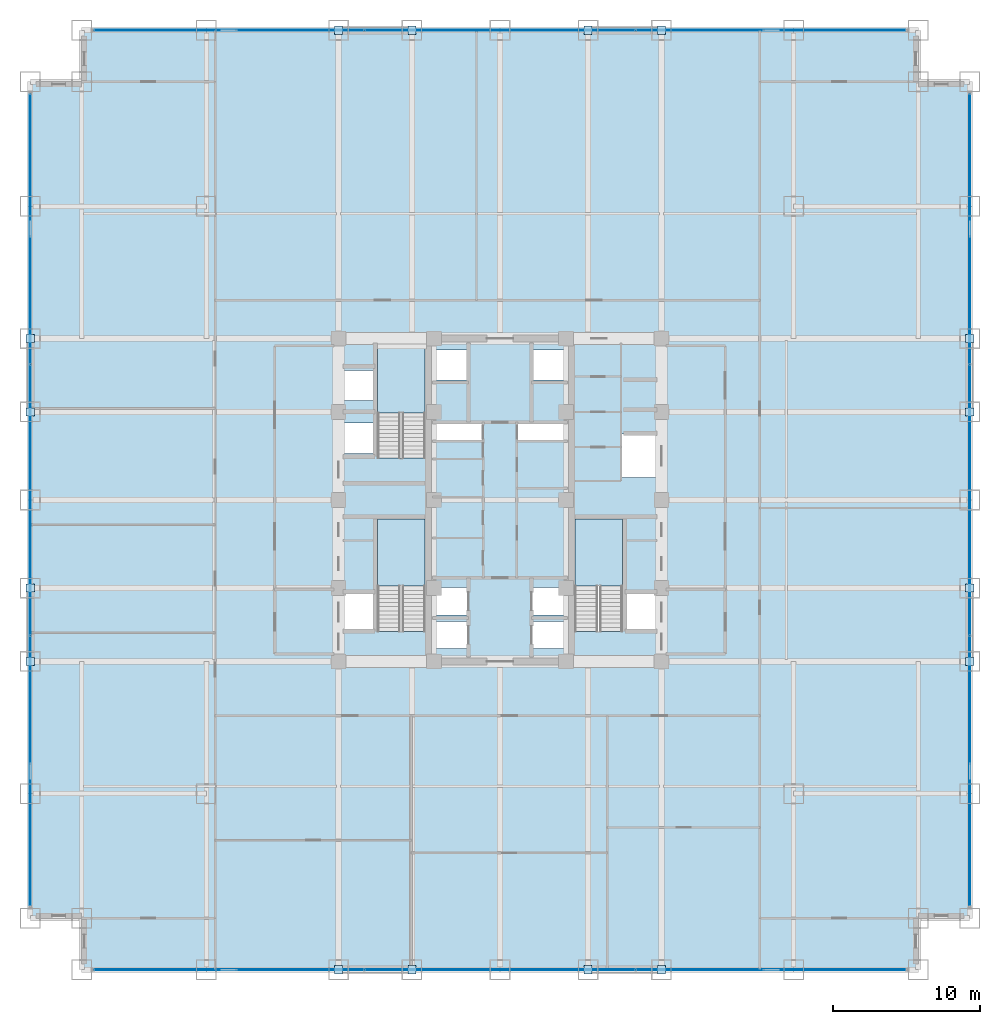
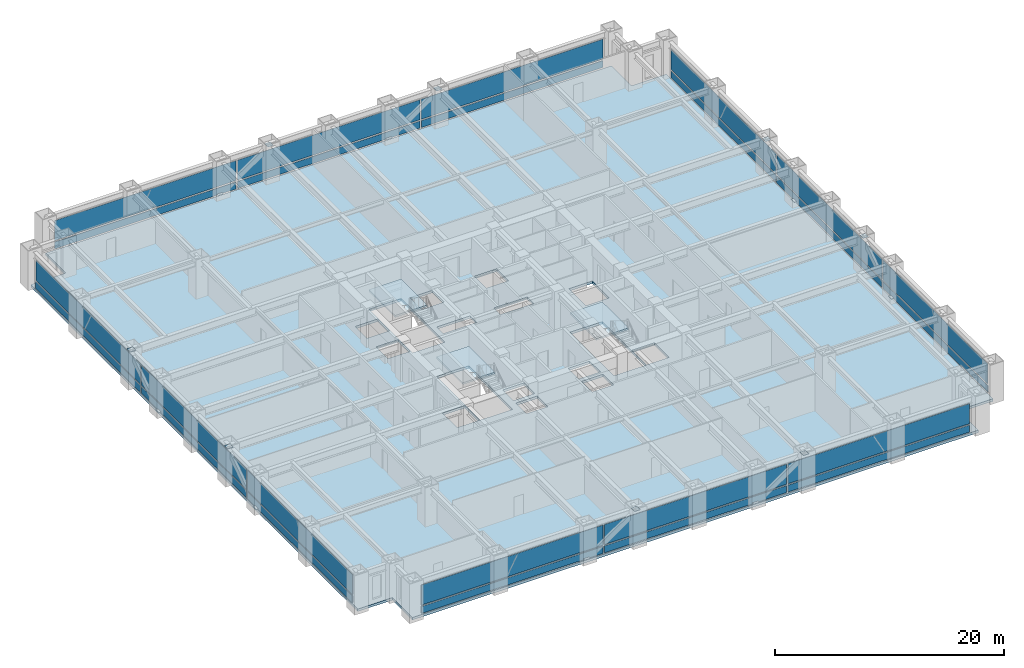
# One storey, part 22 of 28: 40 plates, 4 slabs, 7 elements without a shape of their own.
"""IFC4 building model written with IfcOpenShell, lengths in metres."""

from ifc_helpers import new_model, si_unit, direction, frame, origin, origin_2d, place, context, subcontext, project, spatial, polyline, rectangle, outline, extrude, source, transform, mapped, material, layer, layer_set, type_object, element, aggregate, save


model = new_model("IFC4")

# Units and contexts
model_context = context("Model", 3, precision=1e-05, world=origin(), true_north=direction((0.0, 1.0)))
body_context = subcontext(model_context, "Body", "Model", "MODEL_VIEW")
ifc_project = project(units=[si_unit("LENGTHUNIT", "METRE"), si_unit("AREAUNIT", "SQUARE_METRE"), si_unit("VOLUMEUNIT", "CUBIC_METRE"), si_unit("PLANEANGLEUNIT", "RADIAN"), si_unit("MASSUNIT", "GRAM", prefix="KILO")], contexts=[model_context])

# Site, building, storey
site_placement = place(None, origin())
site = spatial("IfcSite", under=ifc_project, at=site_placement, CompositionType="ELEMENT")
building_placement = place(site_placement, origin())
building = spatial("IfcBuilding", under=site, at=building_placement, Name="Khorayat Bourse Tower", CompositionType="ELEMENT")
storey_placement = place(building_placement, frame((0.0, 0.0, 66.199951171875)))
storey = spatial("IfcBuildingStorey", under=building, at=storey_placement, Name="L14", CompositionType="ELEMENT", Elevation=66.199951171875)

# Stair, slab
ifc_material_1 = material(Name="Concrete C40/50", Category="concrete")
stair_type = type_object("IfcStairType", Name="STR-CORE-1550", PredefinedType="HALF_TURN_STAIR", material=ifc_material_1)
stair_1_placement = place(storey_placement, origin())
stair_1 = element("IfcStair", 1, at=stair_1_placement, inside=storey, type_object=stair_type, Name="L14 Exit Stair ST-1", PredefinedType="HALF_TURN_STAIR")
ifc_layer_1 = layer(ifc_material_1, 0.199951171875)
ifc_layer_set_1 = layer_set([ifc_layer_1], Name="Concrete C40/50")
slab_type_1 = type_object("IfcSlabType", Name="SLB-LANDING-200", PredefinedType="LANDING", material=ifc_layer_set_1)
slab_1_placement = place(storey_placement, frame((0.0, 0.0, 1.900146484375)))
slab_1 = element("IfcSlab", 2, at=slab_1_placement, type_object=slab_type_1, Name="ST-1 landing 1", PredefinedType="LANDING", context=body_context, shape_type="SweptSolid", body=[
    extrude(outline(polyline([(-5.10009765625, -5.8701171875), (-5.10009765625, -1.300048828125), (-8.35009765625, -1.300048828125), (-8.35009765625, -5.8701171875), (-5.10009765625, -5.8701171875)])), origin(), (0.0, 0.0, 1.0), 0.199951171875),
])
aggregate(stair_1, [slab_1])

stair_2_placement = place(storey_placement, origin())
stair_2 = element("IfcStair", 3, at=stair_2_placement, inside=storey, type_object=stair_type, Name="L14 Exit Stair ST-2", PredefinedType="HALF_TURN_STAIR")
slab_2_placement = place(storey_placement, frame((0.0, 0.0, 1.900146484375)))
slab_2 = element("IfcSlab", 4, at=slab_2_placement, type_object=slab_type_1, Name="ST-2 landing 1", PredefinedType="LANDING", context=body_context, shape_type="SweptSolid", body=[
    extrude(outline(polyline([(-5.10009765625, 5.929931640625), (-5.10009765625, 10.5), (-8.35009765625, 10.5), (-8.35009765625, 5.929931640625), (-5.10009765625, 5.929931640625)])), origin(), (0.0, 0.0, 1.0), 0.199951171875),
])
aggregate(stair_2, [slab_2])

stair_3_placement = place(storey_placement, origin())
stair_3 = element("IfcStair", 5, at=stair_3_placement, inside=storey, type_object=stair_type, Name="L14 Exit Stair ST-3", PredefinedType="HALF_TURN_STAIR")
slab_3_placement = place(storey_placement, frame((0.0, 0.0, 1.900146484375)))
slab_3 = element("IfcSlab", 6, at=slab_3_placement, type_object=slab_type_1, Name="ST-3 landing 1", PredefinedType="LANDING", context=body_context, shape_type="SweptSolid", body=[
    extrude(outline(polyline([(8.35009765625, -5.8701171875), (8.35009765625, -1.300048828125), (5.10009765625, -1.300048828125), (5.10009765625, -5.8701171875), (8.35009765625, -5.8701171875)])), origin(), (0.0, 0.0, 1.0), 0.199951171875),
])
aggregate(stair_3, [slab_3])

# Slab
ifc_layer_2 = layer(ifc_material_1, 0.260009765625)
ifc_layer_set_2 = layer_set([ifc_layer_2], Name="Concrete C40/50")
slab_type_2 = type_object("IfcSlabType", Name="SLB-TRADE-260", PredefinedType="FLOOR", material=ifc_layer_set_2)
slab_4_placement = place(storey_placement, frame((0.0, 0.0, -0.260009765625)))
element("IfcSlab", 7, at=slab_4_placement, inside=storey, type_object=slab_type_2, Name="L14 Main Floor Slab", PredefinedType="FLOOR", context=body_context, shape_type="SweptSolid", body=[
    extrude(outline(polyline([(-28.5, -32.0), (28.5, -32.0), (28.5, -28.5), (32.0, -28.5), (32.0, 28.5), (28.5, 28.5), (28.5, 32.0), (-28.5, 32.0), (-28.5, 28.5), (-32.0, 28.5), (-32.0, -28.5), (-28.5, -28.5), (-28.5, -32.0)]), holes=[polyline([(-8.35009765625, -8.945068359375), (-5.10009765625, -8.945068359375), (-5.10009765625, -1.300048828125), (-8.35009765625, -1.300048828125), (-8.35009765625, -8.945068359375)]), polyline([(-8.35009765625, 2.85498046875), (-5.10009765625, 2.85498046875), (-5.10009765625, 10.5), (-8.35009765625, 10.5), (-8.35009765625, 2.85498046875)]), polyline([(5.10009765625, -8.945068359375), (8.35009765625, -8.945068359375), (8.35009765625, -1.300048828125), (5.10009765625, -1.300048828125), (5.10009765625, -8.945068359375)]), polyline([(-4.3798828125, -10.1298828125), (-2.219970703125, -10.1298828125), (-2.219970703125, -8.27001953125), (-4.3798828125, -8.27001953125), (-4.3798828125, -10.1298828125)]), polyline([(2.219970703125, -10.1298828125), (4.3798828125, -10.1298828125), (4.3798828125, -8.27001953125), (2.219970703125, -8.27001953125), (2.219970703125, -10.1298828125)]), polyline([(-4.3798828125, -7.830078125), (-2.219970703125, -7.830078125), (-2.219970703125, -5.969970703125), (-4.3798828125, -5.969970703125), (-4.3798828125, -7.830078125)]), polyline([(2.219970703125, -7.830078125), (4.3798828125, -7.830078125), (4.3798828125, -5.969970703125), (2.219970703125, -5.969970703125), (2.219970703125, -7.830078125)]), polyline([(-4.3798828125, 8.169921875), (-2.1201171875, 8.169921875), (-2.1201171875, 10.22998046875), (-4.3798828125, 10.22998046875), (-4.3798828125, 8.169921875)]), polyline([(2.1201171875, 8.169921875), (4.3798828125, 8.169921875), (4.3798828125, 10.22998046875), (2.1201171875, 10.22998046875), (2.1201171875, 8.169921875)]), polyline([(-10.679931640625, 3.169921875), (-8.419921875, 3.169921875), (-8.419921875, 5.22998046875), (-10.679931640625, 5.22998046875), (-10.679931640625, 3.169921875)]), polyline([(-10.679931640625, 6.77001953125), (-8.419921875, 6.77001953125), (-8.419921875, 8.830078125), (-10.679931640625, 8.830078125), (-10.679931640625, 6.77001953125)]), polyline([(-10.679931640625, -8.929931640625), (-8.419921875, -8.929931640625), (-8.419921875, -6.3701171875), (-10.679931640625, -6.3701171875), (-10.679931640625, -8.929931640625)]), polyline([(8.419921875, -8.929931640625), (10.679931640625, -8.929931640625), (10.679931640625, -6.3701171875), (8.419921875, -6.3701171875), (8.419921875, -8.929931640625)]), polyline([(8.320068359375, 1.52001953125), (10.679931640625, 1.52001953125), (10.679931640625, 4.47998046875), (8.320068359375, 4.47998046875), (8.320068359375, 1.52001953125)]), polyline([(-4.56005859375, 4.080078125), (-1.18994140625, 4.080078125), (-1.18994140625, 5.219970703125), (-4.56005859375, 5.219970703125), (-4.56005859375, 4.080078125)]), polyline([(1.18994140625, 4.080078125), (4.56005859375, 4.080078125), (4.56005859375, 5.219970703125), (1.18994140625, 5.219970703125), (1.18994140625, 4.080078125)])]), origin(), (0.0, 0.0, 1.0), 0.260009765625),
])

# Plates
ifc_material_2 = material(Name="Steel EN 10025-2 S355J2", Category="steel")
ifc_layer_3 = layer(ifc_material_2, 0.02490234375)
ifc_layer_set_3 = layer_set([ifc_layer_3], Name="Steel EN 10025-2 S355J2")
plate_type_1 = type_object("IfcPlateType", Name="PLT-ENDCAP-25", PredefinedType="SHEET", material=ifc_layer_set_3)
shared_shape_1 = source(origin(), body_context, "Body", "SweptSolid", [
    extrude(rectangle(XDim=0.56005859375, YDim=0.56005859375, at=origin_2d()), origin(), (0.0, 0.0, 1.0), 0.02490234375),
])
for number, where, z_axis, x_axis, name in (
    (8, (-11.0, -32.0, 0.237548828125), (0.0, 0.0, 1.0), (1.0, 0.0, 0.0), "L14 Perimeter Brace End Plate 001"),
    (9, (-6.0, -32.0, 3.677490234375), (0.0, 0.0, 1.0), (1.0, 0.0, 0.0), "L14 Perimeter Brace End Plate 002"),
    (10, (6.0, -32.0, 0.237548828125), (0.0, 0.0, 1.0), (1.0, 0.0, 0.0), "L14 Perimeter Brace End Plate 003"),
    (11, (11.0, -32.0, 3.677490234375), (0.0, 0.0, 1.0), (1.0, 0.0, 0.0), "L14 Perimeter Brace End Plate 004"),
    (12, (-11.0, 32.0, 0.237548828125), (0.0, 0.0, 1.0), (1.0, 0.0, 0.0), "L14 Perimeter Brace End Plate 005"),
    (13, (-6.0, 32.0, 3.677490234375), (0.0, 0.0, 1.0), (1.0, 0.0, 0.0), "L14 Perimeter Brace End Plate 006"),
    (14, (6.0, 32.0, 0.237548828125), (0.0, 0.0, 1.0), (1.0, 0.0, 0.0), "L14 Perimeter Brace End Plate 007"),
    (15, (11.0, 32.0, 3.677490234375), (0.0, 0.0, 1.0), (1.0, 0.0, 0.0), "L14 Perimeter Brace End Plate 008"),
    (16, (-32.0, -11.0, 0.237548828125), (0.0, 0.0, 1.0), (1.0, 0.0, 0.0), "L14 Perimeter Brace End Plate 009"),
    (17, (-32.0, -6.0, 3.677490234375), (0.0, 0.0, 1.0), (1.0, 0.0, 0.0), "L14 Perimeter Brace End Plate 010"),
    (18, (-32.0, 6.0, 0.237548828125), (0.0, 0.0, 1.0), (1.0, 0.0, 0.0), "L14 Perimeter Brace End Plate 011"),
    (19, (-32.0, 11.0, 3.677490234375), (0.0, 0.0, 1.0), (1.0, 0.0, 0.0), "L14 Perimeter Brace End Plate 012"),
    (20, (32.0, -11.0, 0.237548828125), (0.0, 0.0, 1.0), (1.0, 0.0, 0.0), "L14 Perimeter Brace End Plate 013"),
    (21, (32.0, -6.0, 3.677490234375), (0.0, 0.0, 1.0), (1.0, 0.0, 0.0), "L14 Perimeter Brace End Plate 014"),
    (22, (32.0, 6.0, 0.237548828125), (0.0, 0.0, 1.0), (1.0, 0.0, 0.0), "L14 Perimeter Brace End Plate 015"),
    (23, (32.0, 11.0, 3.677490234375), (0.0, 0.0, 1.0), (1.0, 0.0, 0.0), "L14 Perimeter Brace End Plate 016"),
):
    element("IfcPlate", number, at=place(storey_placement, frame(where, z_axis=z_axis, x_axis=x_axis)), inside=storey, type_object=plate_type_1, Name=name, PredefinedType="SHEET", context=body_context, shape_type="MappedRepresentation", body=[
        mapped(shared_shape_1, transform((0.0, 0.0, 0.0), scale=1.0)),
    ])

# Curtain wall, plates
ifc_material_3 = material(Name="Aluminium EN AW-6063 T6", Category="aluminium")
curtain_wall_type = type_object("IfcCurtainWallType", Name="CW-SYS-02", PredefinedType="NOTDEFINED", material=ifc_material_3)
curtain_wall_1_placement = place(storey_placement, origin())
curtain_wall_1 = element("IfcCurtainWall", 24, at=curtain_wall_1_placement, inside=storey, type_object=curtain_wall_type, Name="L14 Curtain Wall CW-L14-S1", PredefinedType="NOTDEFINED")
ifc_material_4 = material(Name="Honed desert limestone insulated spandrel", Category="masonry")
ifc_layer_4 = layer(ifc_material_4, 0.06494140625)
ifc_layer_set_4 = layer_set([ifc_layer_4], Name="Honed desert limestone insulated spandrel")
plate_type_2 = type_object("IfcPlateType", Name="CWP-SPAND-03", PredefinedType="CURTAIN_PANEL", material=ifc_layer_set_4)
shared_shape_2 = source(origin(), body_context, "Body", "SweptSolid", [
    extrude(rectangle(XDim=18.2900390625, YDim=0.06494140625, at=origin_2d()), origin(), (0.0, 0.0, 1.0), 0.739990234375),
])
plate_1_placement = place(storey_placement, frame((-18.465087890625, -32.0, 0.14013671875), z_axis=(0.0, 0.0, 1.0), x_axis=(1.0, 0.0, 0.0)))
plate_1 = element("IfcPlate", 25, at=plate_1_placement, type_object=plate_type_2, Name="CW-L14-S1 Spandrel Panel 1-1", PredefinedType="CURTAIN_PANEL", context=body_context, shape_type="MappedRepresentation", body=[
    mapped(shared_shape_2, transform((0.0, 0.0, 0.0), scale=1.0)),
])
plate_2_placement = place(storey_placement, frame((18.465087890625, -32.0, 0.14013671875), z_axis=(0.0, 0.0, 1.0), x_axis=(1.0, 0.0, 0.0)))
plate_2 = element("IfcPlate", 26, at=plate_2_placement, type_object=plate_type_2, Name="CW-L14-S1 Spandrel Panel 3-1", PredefinedType="CURTAIN_PANEL", context=body_context, shape_type="MappedRepresentation", body=[
    mapped(shared_shape_2, transform((0.0, 0.0, 0.0), scale=1.0)),
])

curtain_wall_2_placement = place(storey_placement, origin())
curtain_wall_2 = element("IfcCurtainWall", 27, at=curtain_wall_2_placement, inside=storey, type_object=curtain_wall_type, Name="L14 Curtain Wall CW-L14-N1", PredefinedType="NOTDEFINED")
plate_3_placement = place(storey_placement, frame((-18.465087890625, 32.0, 0.14013671875), z_axis=(0.0, 0.0, 1.0), x_axis=(1.0, 0.0, 0.0)))
plate_3 = element("IfcPlate", 28, at=plate_3_placement, type_object=plate_type_2, Name="CW-L14-N1 Spandrel Panel 1-1", PredefinedType="CURTAIN_PANEL", context=body_context, shape_type="MappedRepresentation", body=[
    mapped(shared_shape_2, transform((0.0, 0.0, 0.0), scale=1.0)),
])
plate_4_placement = place(storey_placement, frame((18.465087890625, 32.0, 0.14013671875), z_axis=(0.0, 0.0, 1.0), x_axis=(1.0, 0.0, 0.0)))
plate_4 = element("IfcPlate", 29, at=plate_4_placement, type_object=plate_type_2, Name="CW-L14-N1 Spandrel Panel 3-1", PredefinedType="CURTAIN_PANEL", context=body_context, shape_type="MappedRepresentation", body=[
    mapped(shared_shape_2, transform((0.0, 0.0, 0.0), scale=1.0)),
])

curtain_wall_3_placement = place(storey_placement, origin())
curtain_wall_3 = element("IfcCurtainWall", 30, at=curtain_wall_3_placement, inside=storey, type_object=curtain_wall_type, Name="L14 Curtain Wall CW-L14-W1", PredefinedType="NOTDEFINED")
plate_5_placement = place(storey_placement, frame((-32.0, -18.465087890625, 0.14013671875), z_axis=(0.0, 0.0, 1.0), x_axis=(0.0, 1.0, 0.0)))
plate_5 = element("IfcPlate", 31, at=plate_5_placement, type_object=plate_type_2, Name="CW-L14-W1 Spandrel Panel 1-1", PredefinedType="CURTAIN_PANEL", context=body_context, shape_type="MappedRepresentation", body=[
    mapped(shared_shape_2, transform((0.0, 0.0, 0.0), scale=1.0)),
])
plate_6_placement = place(storey_placement, frame((-32.0, 18.465087890625, 0.14013671875), z_axis=(0.0, 0.0, 1.0), x_axis=(0.0, 1.0, 0.0)))
plate_6 = element("IfcPlate", 32, at=plate_6_placement, type_object=plate_type_2, Name="CW-L14-W1 Spandrel Panel 3-1", PredefinedType="CURTAIN_PANEL", context=body_context, shape_type="MappedRepresentation", body=[
    mapped(shared_shape_2, transform((0.0, 0.0, 0.0), scale=1.0)),
])

curtain_wall_4_placement = place(storey_placement, origin())
curtain_wall_4 = element("IfcCurtainWall", 33, at=curtain_wall_4_placement, inside=storey, type_object=curtain_wall_type, Name="L14 Curtain Wall CW-L14-E1", PredefinedType="NOTDEFINED")
plate_7_placement = place(storey_placement, frame((32.0, -18.465087890625, 0.14013671875), z_axis=(0.0, 0.0, 1.0), x_axis=(0.0, 1.0, 0.0)))
plate_7 = element("IfcPlate", 34, at=plate_7_placement, type_object=plate_type_2, Name="CW-L14-E1 Spandrel Panel 1-1", PredefinedType="CURTAIN_PANEL", context=body_context, shape_type="MappedRepresentation", body=[
    mapped(shared_shape_2, transform((0.0, 0.0, 0.0), scale=1.0)),
])
plate_8_placement = place(storey_placement, frame((32.0, 18.465087890625, 0.14013671875), z_axis=(0.0, 0.0, 1.0), x_axis=(0.0, 1.0, 0.0)))
plate_8 = element("IfcPlate", 35, at=plate_8_placement, type_object=plate_type_2, Name="CW-L14-E1 Spandrel Panel 3-1", PredefinedType="CURTAIN_PANEL", context=body_context, shape_type="MappedRepresentation", body=[
    mapped(shared_shape_2, transform((0.0, 0.0, 0.0), scale=1.0)),
])

# Plate
ifc_material_5 = material(Name="Low-E solar-control laminated double glazing", Category="glass")
ifc_layer_5 = layer(ifc_material_5, 0.0419921875)
ifc_layer_set_5 = layer_set([ifc_layer_5], Name="Low-E solar-control laminated double glazing")
plate_type_3 = type_object("IfcPlateType", Name="CWP-FACET-02", PredefinedType="CURTAIN_PANEL", material=ifc_layer_set_5)
shared_shape_3 = source(origin(), body_context, "Body", "SweptSolid", [
    extrude(rectangle(XDim=18.2900390625, YDim=0.0419921875, at=origin_2d()), origin(), (0.0, 0.0, 1.0), 2.1298828125),
])
plate_9_placement = place(storey_placement, frame((-18.465087890625, -32.0, 1.02001953125), z_axis=(0.0, 0.0, 1.0), x_axis=(1.0, 0.0, 0.0)))
plate_9 = element("IfcPlate", 36, at=plate_9_placement, type_object=plate_type_3, Name="CW-L14-S1 Vision Panel 1-2", PredefinedType="CURTAIN_PANEL", context=body_context, shape_type="MappedRepresentation", body=[
    mapped(shared_shape_3, transform((0.0, 0.0, 0.0), scale=1.0)),
])

plate_10_placement = place(storey_placement, frame((18.465087890625, -32.0, 1.02001953125), z_axis=(0.0, 0.0, 1.0), x_axis=(1.0, 0.0, 0.0)))
plate_10 = element("IfcPlate", 37, at=plate_10_placement, type_object=plate_type_3, Name="CW-L14-S1 Vision Panel 3-2", PredefinedType="CURTAIN_PANEL", context=body_context, shape_type="MappedRepresentation", body=[
    mapped(shared_shape_3, transform((0.0, 0.0, 0.0), scale=1.0)),
])

plate_11_placement = place(storey_placement, frame((-18.465087890625, 32.0, 1.02001953125), z_axis=(0.0, 0.0, 1.0), x_axis=(1.0, 0.0, 0.0)))
plate_11 = element("IfcPlate", 38, at=plate_11_placement, type_object=plate_type_3, Name="CW-L14-N1 Vision Panel 1-2", PredefinedType="CURTAIN_PANEL", context=body_context, shape_type="MappedRepresentation", body=[
    mapped(shared_shape_3, transform((0.0, 0.0, 0.0), scale=1.0)),
])

plate_12_placement = place(storey_placement, frame((18.465087890625, 32.0, 1.02001953125), z_axis=(0.0, 0.0, 1.0), x_axis=(1.0, 0.0, 0.0)))
plate_12 = element("IfcPlate", 39, at=plate_12_placement, type_object=plate_type_3, Name="CW-L14-N1 Vision Panel 3-2", PredefinedType="CURTAIN_PANEL", context=body_context, shape_type="MappedRepresentation", body=[
    mapped(shared_shape_3, transform((0.0, 0.0, 0.0), scale=1.0)),
])

plate_13_placement = place(storey_placement, frame((-32.0, -18.465087890625, 1.02001953125), z_axis=(0.0, 0.0, 1.0), x_axis=(0.0, 1.0, 0.0)))
plate_13 = element("IfcPlate", 40, at=plate_13_placement, type_object=plate_type_3, Name="CW-L14-W1 Vision Panel 1-2", PredefinedType="CURTAIN_PANEL", context=body_context, shape_type="MappedRepresentation", body=[
    mapped(shared_shape_3, transform((0.0, 0.0, 0.0), scale=1.0)),
])

plate_14_placement = place(storey_placement, frame((-32.0, 18.465087890625, 1.02001953125), z_axis=(0.0, 0.0, 1.0), x_axis=(0.0, 1.0, 0.0)))
plate_14 = element("IfcPlate", 41, at=plate_14_placement, type_object=plate_type_3, Name="CW-L14-W1 Vision Panel 3-2", PredefinedType="CURTAIN_PANEL", context=body_context, shape_type="MappedRepresentation", body=[
    mapped(shared_shape_3, transform((0.0, 0.0, 0.0), scale=1.0)),
])

plate_15_placement = place(storey_placement, frame((32.0, -18.465087890625, 1.02001953125), z_axis=(0.0, 0.0, 1.0), x_axis=(0.0, 1.0, 0.0)))
plate_15 = element("IfcPlate", 42, at=plate_15_placement, type_object=plate_type_3, Name="CW-L14-E1 Vision Panel 1-2", PredefinedType="CURTAIN_PANEL", context=body_context, shape_type="MappedRepresentation", body=[
    mapped(shared_shape_3, transform((0.0, 0.0, 0.0), scale=1.0)),
])

plate_16_placement = place(storey_placement, frame((32.0, 18.465087890625, 1.02001953125), z_axis=(0.0, 0.0, 1.0), x_axis=(0.0, 1.0, 0.0)))
plate_16 = element("IfcPlate", 43, at=plate_16_placement, type_object=plate_type_3, Name="CW-L14-E1 Vision Panel 3-2", PredefinedType="CURTAIN_PANEL", context=body_context, shape_type="MappedRepresentation", body=[
    mapped(shared_shape_3, transform((0.0, 0.0, 0.0), scale=1.0)),
])

shared_shape_4 = source(origin(), body_context, "Body", "SweptSolid", [
    extrude(rectangle(XDim=18.360107421875, YDim=0.06494140625, at=origin_2d()), origin(), (0.0, 0.0, 1.0), 0.739990234375),
])
plate_17_placement = place(storey_placement, frame((0.0, -32.0, 0.14013671875), z_axis=(0.0, 0.0, 1.0), x_axis=(1.0, 0.0, 0.0)))
plate_17 = element("IfcPlate", 44, at=plate_17_placement, type_object=plate_type_2, Name="CW-L14-S1 Spandrel Panel 2-1", PredefinedType="CURTAIN_PANEL", context=body_context, shape_type="MappedRepresentation", body=[
    mapped(shared_shape_4, transform((0.0, 0.0, 0.0), scale=1.0)),
])

plate_18_placement = place(storey_placement, frame((0.0, 32.0, 0.14013671875), z_axis=(0.0, 0.0, 1.0), x_axis=(1.0, 0.0, 0.0)))
plate_18 = element("IfcPlate", 45, at=plate_18_placement, type_object=plate_type_2, Name="CW-L14-N1 Spandrel Panel 2-1", PredefinedType="CURTAIN_PANEL", context=body_context, shape_type="MappedRepresentation", body=[
    mapped(shared_shape_4, transform((0.0, 0.0, 0.0), scale=1.0)),
])

plate_19_placement = place(storey_placement, frame((-32.0, 0.0, 0.14013671875), z_axis=(0.0, 0.0, 1.0), x_axis=(0.0, 1.0, 0.0)))
plate_19 = element("IfcPlate", 46, at=plate_19_placement, type_object=plate_type_2, Name="CW-L14-W1 Spandrel Panel 2-1", PredefinedType="CURTAIN_PANEL", context=body_context, shape_type="MappedRepresentation", body=[
    mapped(shared_shape_4, transform((0.0, 0.0, 0.0), scale=1.0)),
])

plate_20_placement = place(storey_placement, frame((32.0, 0.0, 0.14013671875), z_axis=(0.0, 0.0, 1.0), x_axis=(0.0, 1.0, 0.0)))
plate_20 = element("IfcPlate", 47, at=plate_20_placement, type_object=plate_type_2, Name="CW-L14-E1 Spandrel Panel 2-1", PredefinedType="CURTAIN_PANEL", context=body_context, shape_type="MappedRepresentation", body=[
    mapped(shared_shape_4, transform((0.0, 0.0, 0.0), scale=1.0)),
])

shared_shape_5 = source(origin(), body_context, "Body", "SweptSolid", [
    extrude(rectangle(XDim=18.360107421875, YDim=0.0419921875, at=origin_2d()), origin(), (0.0, 0.0, 1.0), 2.1298828125),
])
plate_21_placement = place(storey_placement, frame((0.0, -32.0, 1.02001953125), z_axis=(0.0, 0.0, 1.0), x_axis=(1.0, 0.0, 0.0)))
plate_21 = element("IfcPlate", 48, at=plate_21_placement, type_object=plate_type_3, Name="CW-L14-S1 Vision Panel 2-2", PredefinedType="CURTAIN_PANEL", context=body_context, shape_type="MappedRepresentation", body=[
    mapped(shared_shape_5, transform((0.0, 0.0, 0.0), scale=1.0)),
])

aggregate(curtain_wall_1, [plate_1, plate_9, plate_17, plate_21, plate_2, plate_10])

plate_22_placement = place(storey_placement, frame((0.0, 32.0, 1.02001953125), z_axis=(0.0, 0.0, 1.0), x_axis=(1.0, 0.0, 0.0)))
plate_22 = element("IfcPlate", 49, at=plate_22_placement, type_object=plate_type_3, Name="CW-L14-N1 Vision Panel 2-2", PredefinedType="CURTAIN_PANEL", context=body_context, shape_type="MappedRepresentation", body=[
    mapped(shared_shape_5, transform((0.0, 0.0, 0.0), scale=1.0)),
])

aggregate(curtain_wall_2, [plate_3, plate_11, plate_18, plate_22, plate_4, plate_12])

plate_23_placement = place(storey_placement, frame((-32.0, 0.0, 1.02001953125), z_axis=(0.0, 0.0, 1.0), x_axis=(0.0, 1.0, 0.0)))
plate_23 = element("IfcPlate", 50, at=plate_23_placement, type_object=plate_type_3, Name="CW-L14-W1 Vision Panel 2-2", PredefinedType="CURTAIN_PANEL", context=body_context, shape_type="MappedRepresentation", body=[
    mapped(shared_shape_5, transform((0.0, 0.0, 0.0), scale=1.0)),
])

aggregate(curtain_wall_3, [plate_5, plate_13, plate_19, plate_23, plate_6, plate_14])

plate_24_placement = place(storey_placement, frame((32.0, 0.0, 1.02001953125), z_axis=(0.0, 0.0, 1.0), x_axis=(0.0, 1.0, 0.0)))
plate_24 = element("IfcPlate", 51, at=plate_24_placement, type_object=plate_type_3, Name="CW-L14-E1 Vision Panel 2-2", PredefinedType="CURTAIN_PANEL", context=body_context, shape_type="MappedRepresentation", body=[
    mapped(shared_shape_5, transform((0.0, 0.0, 0.0), scale=1.0)),
])

aggregate(curtain_wall_4, [plate_7, plate_15, plate_20, plate_24, plate_8, plate_16])

save(model, "model.ifc")
